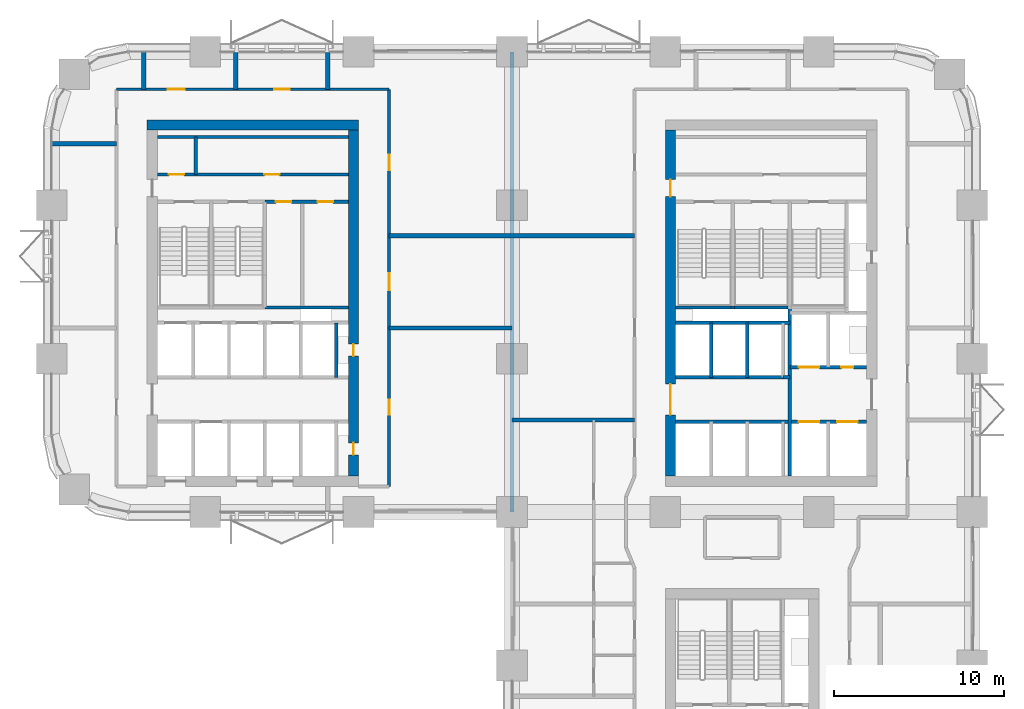
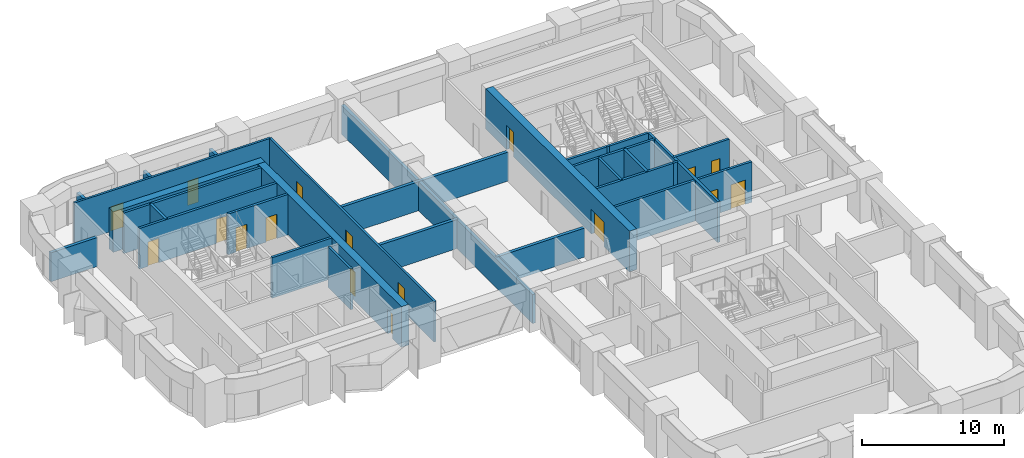
# One storey, part 14 of 18: 30 walls, 17 doors, 17 openings.
"""IFC4 building model written with IfcOpenShell, lengths in metres."""

from ifc_helpers import new_model, si_unit, direction, frame, frame_2d, origin, place, context, subcontext, project, spatial, rectangle, extrude, material, layer, layer_set, type_object, element, fill, save


model = new_model("IFC4")

# Units and contexts
model_context = context("Model", 3, precision=1e-05, world=origin(), true_north=direction((0.0, 1.0)))
body_context = subcontext(model_context, "Body", "Model", "MODEL_VIEW")
ifc_project = project(units=[si_unit("LENGTHUNIT", "METRE"), si_unit("AREAUNIT", "SQUARE_METRE"), si_unit("VOLUMEUNIT", "CUBIC_METRE"), si_unit("PLANEANGLEUNIT", "RADIAN"), si_unit("MASSUNIT", "GRAM", prefix="KILO")], contexts=[model_context])

# Site, building, storey
site_placement = place(None, origin())
site = spatial("IfcSite", under=ifc_project, at=site_placement, CompositionType="ELEMENT")
building_placement = place(site_placement, origin())
building = spatial("IfcBuilding", under=site, at=building_placement, Name="Tessera Arch", CompositionType="ELEMENT")
storey_placement = place(building_placement, frame((0.0, 0.0, 89.199951171875)))
storey = spatial("IfcBuildingStorey", under=building, at=storey_placement, Name="L20", CompositionType="ELEMENT", Elevation=89.199951171875)

# Walls
ifc_material_1 = material(Name="Gypsum board on steel stud", Category="steel")
ifc_layer_1 = layer(ifc_material_1, 0.125)
ifc_layer_set_1 = layer_set([ifc_layer_1], Name="Core partition 125 EI 60")
wall_type_1 = type_object("IfcWallType", Name="Core partition 125 EI 60", PredefinedType="PARTITIONING", material=ifc_layer_set_1)
wall_1_placement = place(storey_placement, frame((42.89990234375, 34.89990234375, 0.0), z_axis=(0.0, 0.0, 1.0), x_axis=(1.0, 0.0, 0.0)))
element("IfcWall", 1, at=wall_1_placement, inside=storey, type_object=wall_type_1, Name="L20 C1 partition wall 18", PredefinedType="PARTITIONING", context=body_context, shape_type="SweptSolid", body=[
    extrude(rectangle(XDim=0.400146484375, YDim=0.199951171875, at=frame_2d((0.2001953125, 0.0))), origin(), (0.0, 0.0, 1.0), 3.5),
])
wall_2_placement = place(storey_placement, frame((8.43994140625, 46.800048828125, 0.0), z_axis=(0.0, 0.0, 1.0), x_axis=(0.0, 1.0, 0.0)))
element("IfcWall", 2, at=wall_2_placement, inside=storey, type_object=wall_type_1, Name="L20 C2 partition wall 3", PredefinedType="PARTITIONING", context=body_context, shape_type="SweptSolid", body=[
    extrude(rectangle(XDim=2.199951171875, YDim=0.199951171875, at=frame_2d((1.10009765625, 0.0))), origin(), (0.0, 0.0, 1.0), 3.5),
])

# Wall, openings, doors
wall_3_placement = place(storey_placement, frame((12.5, 45.199951171875, 0.0), z_axis=(0.0, 0.0, 1.0), x_axis=(1.0, 0.0, 0.0)))
wall_3 = element("IfcWall", 3, at=wall_3_placement, inside=storey, type_object=wall_type_1, Name="L20 C2 partition wall 24", PredefinedType="PARTITIONING", context=body_context, shape_type="SweptSolid", body=[
    extrude(rectangle(XDim=4.89990234375, YDim=0.199951171875, at=frame_2d((2.449951171875, 0.0))), origin(), (0.0, 0.0, 1.0), 3.5),
])
opening_1_placement = place(wall_3_placement, frame((0.652587890625, 0.0, 0.0)))
opening_1 = element("IfcOpeningElement", 4, at=opening_1_placement, cuts=wall_3, Name="Opening L20-C29", PredefinedType="OPENING", context=body_context, shape_type="SweptSolid", body=[
    extrude(rectangle(XDim=0.89990234375, YDim=2.10009765625, at=frame_2d((0.449951171875, 1.050048828125))), frame((0.0, 0.10986328125, 0.0), z_axis=(0.0, -1.0, 0.0), x_axis=(1.0, 0.0, 0.0)), (0.0, 0.0, 1.0), 0.219970703125),
])
opening_2_placement = place(wall_3_placement, frame((3.1025390625, 0.0, 0.0)))
opening_2 = element("IfcOpeningElement", 5, at=opening_2_placement, cuts=wall_3, Name="Opening L20-C30", PredefinedType="OPENING", context=body_context, shape_type="SweptSolid", body=[
    extrude(rectangle(XDim=0.89990234375, YDim=2.10009765625, at=frame_2d((0.449951171875, 1.050048828125))), frame((0.0, 0.10986328125, 0.0), z_axis=(0.0, -1.0, 0.0), x_axis=(1.0, 0.0, 0.0)), (0.0, 0.0, 1.0), 0.219970703125),
])
ifc_material_2 = material(Name="Steel door leaf", Category="steel")
door_type_1 = type_object("IfcDoorType", Name="Store door FD30S 900 x 2100", OperationType="SINGLE_SWING_LEFT", PredefinedType="DOOR", material=ifc_material_2)
door_1_placement = place(opening_1_placement, origin())
door_1 = element("IfcDoor", 6, at=door_1_placement, inside=storey, type_object=door_type_1, Name="L20 C2 door 17 C29 type D09", OperationType="SINGLE_SWING_LEFT", OverallHeight=2.10009765625, OverallWidth=0.89990234375, PredefinedType="DOOR", context=body_context, shape_type="SweptSolid", body=[
    extrude(rectangle(XDim=0.89990234375, YDim=2.10009765625, at=frame_2d((0.449951171875, 1.050048828125))), frame((0.0, 0.02490234375, 0.0), z_axis=(0.0, -1.0, 0.0), x_axis=(1.0, 0.0, 0.0)), (0.0, 0.0, 1.0), 0.050048828125),
])
fill(opening_1, door_1)
door_2_placement = place(opening_2_placement, origin())
door_2 = element("IfcDoor", 7, at=door_2_placement, inside=storey, type_object=door_type_1, Name="L20 C2 door 18 C30 type D09", OperationType="SINGLE_SWING_RIGHT", OverallHeight=2.10009765625, OverallWidth=0.89990234375, PredefinedType="DOOR", context=body_context, shape_type="SweptSolid", body=[
    extrude(rectangle(XDim=0.89990234375, YDim=2.10009765625, at=frame_2d((0.449951171875, 1.050048828125))), frame((0.0, 0.02490234375, 0.0), z_axis=(0.0, -1.0, 0.0), x_axis=(1.0, 0.0, 0.0)), (0.0, 0.0, 1.0), 0.050048828125),
])
fill(opening_2, door_2)

wall_4_placement = place(storey_placement, frame((6.199951171875, 46.800048828125, 0.0), z_axis=(0.0, 0.0, 1.0), x_axis=(1.0, 0.0, 0.0)))
wall_4 = element("IfcWall", 8, at=wall_4_placement, inside=storey, type_object=wall_type_1, Name="L20 C2 partition wall 26", PredefinedType="PARTITIONING", context=body_context, shape_type="SweptSolid", body=[
    extrude(rectangle(XDim=11.199951171875, YDim=0.199951171875, at=frame_2d((5.60009765625, 0.0))), origin(), (0.0, 0.0, 1.0), 3.5),
])
opening_3_placement = place(wall_4_placement, frame((0.669921875, 0.0, 0.0)))
opening_3 = element("IfcOpeningElement", 9, at=opening_3_placement, cuts=wall_4, Name="Opening L20-C27", PredefinedType="OPENING", context=body_context, shape_type="SweptSolid", body=[
    extrude(rectangle(XDim=0.89990234375, YDim=2.10009765625, at=frame_2d((0.449951171875, 1.050048828125))), frame((0.0, 0.10986328125, 0.0), z_axis=(0.0, -1.0, 0.0), x_axis=(1.0, 0.0, 0.0)), (0.0, 0.0, 1.0), 0.219970703125),
])
opening_4_placement = place(wall_4_placement, frame((6.27001953125, 0.0, 0.0)))
opening_4 = element("IfcOpeningElement", 10, at=opening_4_placement, cuts=wall_4, Name="Opening L20-C28", PredefinedType="OPENING", context=body_context, shape_type="SweptSolid", body=[
    extrude(rectangle(XDim=0.89990234375, YDim=2.10009765625, at=frame_2d((0.449951171875, 1.050048828125))), frame((0.0, 0.10986328125, 0.0), z_axis=(0.0, -1.0, 0.0), x_axis=(1.0, 0.0, 0.0)), (0.0, 0.0, 1.0), 0.219970703125),
])
door_3_placement = place(opening_3_placement, origin())
door_3 = element("IfcDoor", 11, at=door_3_placement, inside=storey, type_object=door_type_1, Name="L20 C2 door 15 C27 type D09", OperationType="SINGLE_SWING_LEFT", OverallHeight=2.10009765625, OverallWidth=0.89990234375, PredefinedType="DOOR", context=body_context, shape_type="SweptSolid", body=[
    extrude(rectangle(XDim=0.89990234375, YDim=2.10009765625, at=frame_2d((0.449951171875, 1.050048828125))), frame((0.0, 0.02490234375, 0.0), z_axis=(0.0, -1.0, 0.0), x_axis=(1.0, 0.0, 0.0)), (0.0, 0.0, 1.0), 0.050048828125),
])
fill(opening_3, door_3)
door_4_placement = place(opening_4_placement, origin())
door_4 = element("IfcDoor", 12, at=door_4_placement, inside=storey, type_object=door_type_1, Name="L20 C2 door 16 C28 type D09", OperationType="SINGLE_SWING_RIGHT", OverallHeight=2.10009765625, OverallWidth=0.89990234375, PredefinedType="DOOR", context=body_context, shape_type="SweptSolid", body=[
    extrude(rectangle(XDim=0.89990234375, YDim=2.10009765625, at=frame_2d((0.449951171875, 1.050048828125))), frame((0.0, 0.02490234375, 0.0), z_axis=(0.0, -1.0, 0.0), x_axis=(1.0, 0.0, 0.0)), (0.0, 0.0, 1.0), 0.050048828125),
])
fill(opening_4, door_4)

# Wall
wall_5_placement = place(storey_placement, frame((6.199951171875, 49.0, 0.0), z_axis=(0.0, 0.0, 1.0), x_axis=(1.0, 0.0, 0.0)))
element("IfcWall", 13, at=wall_5_placement, inside=storey, type_object=wall_type_1, Name="L20 C2 partition wall 27", PredefinedType="PARTITIONING", context=body_context, shape_type="SweptSolid", body=[
    extrude(rectangle(XDim=11.199951171875, YDim=0.199951171875, at=frame_2d((5.60009765625, 0.0))), origin(), (0.0, 0.0, 1.0), 3.5),
])

# Wall, openings, doors
ifc_material_3 = material(Name="Concrete C70/85", Category="concrete")
ifc_layer_2 = layer(ifc_material_3, 0.60009765625)
ifc_layer_set_2 = layer_set([ifc_layer_2], Name="Core shell wall 600 C70-85")
wall_type_2 = type_object("IfcWallType", Name="Core shell wall 600 C70-85", PredefinedType="SHEAR", material=ifc_layer_set_2)
wall_6_placement = place(storey_placement, frame((36.300048828125, 29.10009765625, 0.0), z_axis=(0.0, 0.0, 1.0), x_axis=(0.0, 1.0, 0.0)))
wall_6 = element("IfcWall", 14, at=wall_6_placement, inside=storey, type_object=wall_type_2, Name="L20 C1 core wall W", PredefinedType="SHEAR", context=body_context, shape_type="SweptSolid", body=[
    extrude(rectangle(XDim=20.2998046875, YDim=0.60009765625, at=frame_2d((10.14990234375, 0.0))), origin(), (0.0, 0.0, 1.0), 3.5),
])
opening_5_placement = place(wall_6_placement, frame((3.60009765625, 0.0, 0.0)))
opening_5 = element("IfcOpeningElement", 15, at=opening_5_placement, cuts=wall_6, Name="Opening L20-C04", PredefinedType="OPENING", context=body_context, shape_type="SweptSolid", body=[
    extrude(rectangle(XDim=1.800048828125, YDim=2.10009765625, at=frame_2d((0.89990234375, 1.050048828125))), frame((0.0, 0.31005859375, 0.0), z_axis=(0.0, -1.0, 0.0), x_axis=(1.0, 0.0, 0.0)), (0.0, 0.0, 1.0), 0.6201171875),
])
opening_6_placement = place(wall_6_placement, frame((16.39990234375, 0.0, 0.0)))
opening_6 = element("IfcOpeningElement", 16, at=opening_6_placement, cuts=wall_6, Name="Opening L20-C11", PredefinedType="OPENING", context=body_context, shape_type="SweptSolid", body=[
    extrude(rectangle(XDim=1.0, YDim=2.10009765625, at=frame_2d((0.5, 1.050048828125))), frame((0.0, 0.31005859375, 0.0), z_axis=(0.0, -1.0, 0.0), x_axis=(1.0, 0.0, 0.0)), (0.0, 0.0, 1.0), 0.6201171875),
])
ifc_material_4 = material(Name="Steel door leaf", Category="steel")
door_type_2 = type_object("IfcDoorType", Name="Corridor door FD60 1000 x 2100", OperationType="SINGLE_SWING_LEFT", PredefinedType="DOOR", material=ifc_material_4)
door_5_placement = place(opening_6_placement, origin())
door_5 = element("IfcDoor", 17, at=door_5_placement, inside=storey, type_object=door_type_2, Name="L20 C1 door 11 C11 type D12", OperationType="SINGLE_SWING_RIGHT", OverallHeight=2.10009765625, OverallWidth=1.0, PredefinedType="DOOR", context=body_context, shape_type="SweptSolid", body=[
    extrude(rectangle(XDim=1.0, YDim=2.10009765625, at=frame_2d((0.5, 1.050048828125))), frame((0.0, 0.02490234375, 0.0), z_axis=(0.0, -1.0, 0.0), x_axis=(1.0, 0.0, 0.0)), (0.0, 0.0, 1.0), 0.050048828125),
])
fill(opening_6, door_5)
ifc_material_5 = material(Name="Glazed steel door leaf", Category="steel")
door_type_3 = type_object("IfcDoorType", Name="Lobby double door FD30S 1800 x 2100", OperationType="DOUBLE_DOOR_SINGLE_SWING", PredefinedType="DOOR", material=ifc_material_5)
door_6_placement = place(opening_5_placement, origin())
door_6 = element("IfcDoor", 18, at=door_6_placement, inside=storey, type_object=door_type_3, Name="L20 C1 door 4 C04 type D06", OperationType="DOUBLE_DOOR_SINGLE_SWING", OverallHeight=2.10009765625, OverallWidth=1.800048828125, PredefinedType="DOOR", context=body_context, shape_type="SweptSolid", body=[
    extrude(rectangle(XDim=1.800048828125, YDim=2.10009765625, at=frame_2d((0.89990234375, 1.050048828125))), frame((0.0, 0.02490234375, 0.0), z_axis=(0.0, -1.0, 0.0), x_axis=(1.0, 0.0, 0.0)), (0.0, 0.0, 1.0), 0.050048828125),
])
fill(opening_5, door_6)

# Wall
wall_7_placement = place(storey_placement, frame((5.60009765625, 49.699951171875, 0.0), z_axis=(0.0, 0.0, 1.0), x_axis=(1.0, 0.0, 0.0)))
element("IfcWall", 19, at=wall_7_placement, inside=storey, type_object=wall_type_2, Name="L20 C2 core wall N", PredefinedType="SHEAR", context=body_context, shape_type="SweptSolid", body=[
    extrude(rectangle(XDim=12.39990234375, YDim=0.60009765625, at=frame_2d((6.199951171875, 0.0))), origin(), (0.0, 0.0, 1.0), 3.5),
])

# Wall, openings, doors
wall_8_placement = place(storey_placement, frame((17.699951171875, 29.10009765625, 0.0), z_axis=(0.0, 0.0, 1.0), x_axis=(0.0, 1.0, 0.0)))
wall_8 = element("IfcWall", 20, at=wall_8_placement, inside=storey, type_object=wall_type_2, Name="L20 C2 core wall E", PredefinedType="SHEAR", context=body_context, shape_type="SweptSolid", body=[
    extrude(rectangle(XDim=20.2998046875, YDim=0.60009765625, at=frame_2d((10.14990234375, 0.0))), origin(), (0.0, 0.0, 1.0), 3.5),
])
opening_7_placement = place(wall_8_placement, frame((1.25, 0.0, 0.0)))
opening_7 = element("IfcOpeningElement", 21, at=opening_7_placement, cuts=wall_8, Name="Opening L20-C21", PredefinedType="OPENING", context=body_context, shape_type="SweptSolid", body=[
    extrude(rectangle(XDim=0.699951171875, YDim=2.10009765625, at=frame_2d((0.35009765625, 1.050048828125))), frame((0.0, 0.31005859375, 0.0), z_axis=(0.0, -1.0, 0.0), x_axis=(1.0, 0.0, 0.0)), (0.0, 0.0, 1.0), 0.6201171875),
])
opening_8_placement = place(wall_8_placement, frame((7.050048828125, 0.0, 0.0)))
opening_8 = element("IfcOpeningElement", 22, at=opening_8_placement, cuts=wall_8, Name="Opening L20-C22", PredefinedType="OPENING", context=body_context, shape_type="SweptSolid", body=[
    extrude(rectangle(XDim=0.699951171875, YDim=2.10009765625, at=frame_2d((0.35009765625, 1.050048828125))), frame((0.0, 0.31005859375, 0.0), z_axis=(0.0, -1.0, 0.0), x_axis=(1.0, 0.0, 0.0)), (0.0, 0.0, 1.0), 0.6201171875),
])
ifc_material_6 = material(Name="Steel door leaf", Category="steel")
door_type_4 = type_object("IfcDoorType", Name="Service shaft door FD60 700 x 2100", OperationType="SINGLE_SWING_LEFT", PredefinedType="DOOR", material=ifc_material_6)
door_7_placement = place(opening_7_placement, origin())
door_7 = element("IfcDoor", 23, at=door_7_placement, inside=storey, type_object=door_type_4, Name="L20 C2 door 9 C21 type D07", OperationType="SINGLE_SWING_LEFT", OverallHeight=2.10009765625, OverallWidth=0.699951171875, PredefinedType="DOOR", context=body_context, shape_type="SweptSolid", body=[
    extrude(rectangle(XDim=0.699951171875, YDim=2.10009765625, at=frame_2d((0.35009765625, 1.050048828125))), frame((0.0, 0.02490234375, 0.0), z_axis=(0.0, -1.0, 0.0), x_axis=(1.0, 0.0, 0.0)), (0.0, 0.0, 1.0), 0.050048828125),
])
fill(opening_7, door_7)
door_8_placement = place(opening_8_placement, origin())
door_8 = element("IfcDoor", 24, at=door_8_placement, inside=storey, type_object=door_type_4, Name="L20 C2 door 10 C22 type D07", OperationType="SINGLE_SWING_LEFT", OverallHeight=2.10009765625, OverallWidth=0.699951171875, PredefinedType="DOOR", context=body_context, shape_type="SweptSolid", body=[
    extrude(rectangle(XDim=0.699951171875, YDim=2.10009765625, at=frame_2d((0.35009765625, 1.050048828125))), frame((0.0, 0.02490234375, 0.0), z_axis=(0.0, -1.0, 0.0), x_axis=(1.0, 0.0, 0.0)), (0.0, 0.0, 1.0), 0.050048828125),
])
fill(opening_8, door_8)

ifc_material_7 = material(Name="Gypsum board on deep steel stud with mineral wool", Category="steel")
ifc_layer_3 = layer(ifc_material_7, 0.175048828125)
ifc_layer_set_3 = layer_set([ifc_layer_3], Name="Corridor wall 175 EI 60")
wall_type_3 = type_object("IfcWallType", Name="Corridor wall 175 EI 60", PredefinedType="PARTITIONING", material=ifc_layer_set_3)
wall_9_placement = place(storey_placement, frame((3.800048828125, 51.800048828125, 0.0), z_axis=(0.0, 0.0, 1.0), x_axis=(1.0, 0.0, 0.0)))
wall_9 = element("IfcWall", 25, at=wall_9_placement, inside=storey, type_object=wall_type_3, Name="L20 partition 7", PredefinedType="PARTITIONING", context=body_context, shape_type="SweptSolid", body=[
    extrude(rectangle(XDim=16.0, YDim=0.175048828125, at=frame_2d((8.0, 0.0))), origin(), (0.0, 0.0, 1.0), 3.5),
])
opening_9_placement = place(wall_9_placement, frame((3.0, 0.0, 0.0)))
opening_9 = element("IfcOpeningElement", 26, at=opening_9_placement, cuts=wall_9, Name="Opening L20-D024", PredefinedType="OPENING", context=body_context, shape_type="SweptSolid", body=[
    extrude(rectangle(XDim=1.0, YDim=2.10009765625, at=frame_2d((0.5, 1.050048828125))), frame((0.0, 0.097412109375, 0.0), z_axis=(0.0, -1.0, 0.0), x_axis=(1.0, 0.0, 0.0)), (0.0, 0.0, 1.0), 0.195068359375),
])
opening_10_placement = place(wall_9_placement, frame((9.25, 0.0, 0.0)))
opening_10 = element("IfcOpeningElement", 27, at=opening_10_placement, cuts=wall_9, Name="Opening L20-D025", PredefinedType="OPENING", context=body_context, shape_type="SweptSolid", body=[
    extrude(rectangle(XDim=0.89990234375, YDim=2.10009765625, at=frame_2d((0.449951171875, 1.050048828125))), frame((0.0, 0.097412109375, 0.0), z_axis=(0.0, -1.0, 0.0), x_axis=(1.0, 0.0, 0.0)), (0.0, 0.0, 1.0), 0.195068359375),
])
ifc_material_8 = material(Name="Fire-rated door leaf")
door_type_5 = type_object("IfcDoorType", Name="Entrance door FD30S 1000 x 2100", OperationType="SINGLE_SWING_LEFT", PredefinedType="DOOR", material=ifc_material_8)
door_9_placement = place(opening_9_placement, origin())
door_9 = element("IfcDoor", 28, at=door_9_placement, inside=storey, type_object=door_type_5, Name="L20 door D024 type D03", OperationType="SINGLE_SWING_RIGHT", OverallHeight=2.10009765625, OverallWidth=1.0, PredefinedType="DOOR", context=body_context, shape_type="SweptSolid", body=[
    extrude(rectangle(XDim=1.0, YDim=2.10009765625, at=frame_2d((0.5, 1.050048828125))), frame((0.0, 0.02490234375, 0.0), z_axis=(0.0, -1.0, 0.0), x_axis=(1.0, 0.0, 0.0)), (0.0, 0.0, 1.0), 0.050048828125),
])
fill(opening_9, door_9)
ifc_material_9 = material(Name="Timber door leaf", Category="wood")
door_type_6 = type_object("IfcDoorType", Name="Room door 900 x 2100", OperationType="SINGLE_SWING_LEFT", PredefinedType="DOOR", material=ifc_material_9)
door_10_placement = place(opening_10_placement, origin())
door_10 = element("IfcDoor", 29, at=door_10_placement, inside=storey, type_object=door_type_6, Name="L20 door D025 type D01", OperationType="SINGLE_SWING_LEFT", OverallHeight=2.10009765625, OverallWidth=0.89990234375, PredefinedType="DOOR", context=body_context, shape_type="SweptSolid", body=[
    extrude(rectangle(XDim=0.89990234375, YDim=2.10009765625, at=frame_2d((0.449951171875, 1.050048828125))), frame((0.0, 0.02490234375, 0.0), z_axis=(0.0, -1.0, 0.0), x_axis=(1.0, 0.0, 0.0)), (0.0, 0.0, 1.0), 0.050048828125),
])
fill(opening_10, door_10)

wall_10_placement = place(storey_placement, frame((19.800048828125, 28.5, 0.0), z_axis=(0.0, 0.0, 1.0), x_axis=(0.0, 1.0, 0.0)))
wall_10 = element("IfcWall", 30, at=wall_10_placement, inside=storey, type_object=wall_type_3, Name="L20 partition 10", PredefinedType="PARTITIONING", context=body_context, shape_type="SweptSolid", body=[
    extrude(rectangle(XDim=23.300048828125, YDim=0.175048828125, at=frame_2d((11.64990234375, 0.0))), origin(), (0.0, 0.0, 1.0), 3.5),
])
opening_11_placement = place(wall_10_placement, frame((4.199951171875, 0.0, 0.0)))
opening_11 = element("IfcOpeningElement", 31, at=opening_11_placement, cuts=wall_10, Name="Opening L20-D014", PredefinedType="OPENING", context=body_context, shape_type="SweptSolid", body=[
    extrude(rectangle(XDim=0.89990234375, YDim=2.10009765625, at=frame_2d((0.449951171875, 1.050048828125))), frame((0.0, 0.097412109375, 0.0), z_axis=(0.0, -1.0, 0.0), x_axis=(1.0, 0.0, 0.0)), (0.0, 0.0, 1.0), 0.195068359375),
])
opening_12_placement = place(wall_10_placement, frame((11.5, 0.0, 0.0)))
opening_12 = element("IfcOpeningElement", 32, at=opening_12_placement, cuts=wall_10, Name="Opening L20-D017", PredefinedType="OPENING", context=body_context, shape_type="SweptSolid", body=[
    extrude(rectangle(XDim=1.0, YDim=2.10009765625, at=frame_2d((0.5, 1.050048828125))), frame((0.0, 0.097412109375, 0.0), z_axis=(0.0, -1.0, 0.0), x_axis=(1.0, 0.0, 0.0)), (0.0, 0.0, 1.0), 0.195068359375),
])
opening_13_placement = place(wall_10_placement, frame((18.550048828125, 0.0, 0.0)))
opening_13 = element("IfcOpeningElement", 33, at=opening_13_placement, cuts=wall_10, Name="Opening L20-D020", PredefinedType="OPENING", context=body_context, shape_type="SweptSolid", body=[
    extrude(rectangle(XDim=0.89990234375, YDim=2.10009765625, at=frame_2d((0.449951171875, 1.050048828125))), frame((0.0, 0.097412109375, 0.0), z_axis=(0.0, -1.0, 0.0), x_axis=(1.0, 0.0, 0.0)), (0.0, 0.0, 1.0), 0.195068359375),
])
door_11_placement = place(opening_12_placement, origin())
door_11 = element("IfcDoor", 34, at=door_11_placement, inside=storey, type_object=door_type_5, Name="L20 door D017 type D03", OperationType="SINGLE_SWING_RIGHT", OverallHeight=2.10009765625, OverallWidth=1.0, PredefinedType="DOOR", context=body_context, shape_type="SweptSolid", body=[
    extrude(rectangle(XDim=1.0, YDim=2.10009765625, at=frame_2d((0.5, 1.050048828125))), frame((0.0, 0.02490234375, 0.0), z_axis=(0.0, -1.0, 0.0), x_axis=(1.0, 0.0, 0.0)), (0.0, 0.0, 1.0), 0.050048828125),
])
fill(opening_12, door_11)
door_12_placement = place(opening_11_placement, origin())
door_12 = element("IfcDoor", 35, at=door_12_placement, inside=storey, type_object=door_type_6, Name="L20 door D014 type D01", OperationType="SINGLE_SWING_LEFT", OverallHeight=2.10009765625, OverallWidth=0.89990234375, PredefinedType="DOOR", context=body_context, shape_type="SweptSolid", body=[
    extrude(rectangle(XDim=0.89990234375, YDim=2.10009765625, at=frame_2d((0.449951171875, 1.050048828125))), frame((0.0, 0.02490234375, 0.0), z_axis=(0.0, -1.0, 0.0), x_axis=(1.0, 0.0, 0.0)), (0.0, 0.0, 1.0), 0.050048828125),
])
fill(opening_11, door_12)
door_13_placement = place(opening_13_placement, origin())
door_13 = element("IfcDoor", 36, at=door_13_placement, inside=storey, type_object=door_type_6, Name="L20 door D020 type D01", OperationType="SINGLE_SWING_LEFT", OverallHeight=2.10009765625, OverallWidth=0.89990234375, PredefinedType="DOOR", context=body_context, shape_type="SweptSolid", body=[
    extrude(rectangle(XDim=0.89990234375, YDim=2.10009765625, at=frame_2d((0.449951171875, 1.050048828125))), frame((0.0, 0.02490234375, 0.0), z_axis=(0.0, -1.0, 0.0), x_axis=(1.0, 0.0, 0.0)), (0.0, 0.0, 1.0), 0.050048828125),
])
fill(opening_13, door_13)

# Walls
ifc_material_10 = material(Name="Double gypsum board on twin steel stud with acoustic mineral wool", Category="steel")
ifc_layer_4 = layer(ifc_material_10, 0.25)
ifc_layer_set_4 = layer_set([ifc_layer_4], Name="Party wall 250 EI 60")
wall_type_4 = type_object("IfcWallType", Name="Party wall 250 EI 60", PredefinedType="PARTITIONING", material=ifc_layer_set_4)
for number, where, z_axis, x_axis, name in (
    (37, (27.0, 32.39990234375, 0.0), (0.0, 0.0, 1.0), (1.0, 0.0, 0.0), "L20 partition 26"),
    (38, (19.800048828125, 37.800048828125, 0.0), (0.0, 0.0, 1.0), (1.0, 0.0, 0.0), "L20 partition 29"),
):
    element("IfcWall", number, at=place(storey_placement, frame(where, z_axis=z_axis, x_axis=x_axis)), inside=storey, type_object=wall_type_4, Name=name, PredefinedType="PARTITIONING", context=body_context, shape_type="SweptSolid", body=[
        extrude(rectangle(XDim=7.199951171875, YDim=0.25, at=frame_2d((3.60009765625, 0.0))), origin(), (0.0, 0.0, 1.0), 2.5),
    ])
wall_11_placement = place(storey_placement, frame((19.800048828125, 43.199951171875, 0.0), z_axis=(0.0, 0.0, 1.0), x_axis=(1.0, 0.0, 0.0)))
element("IfcWall", 39, at=wall_11_placement, inside=storey, type_object=wall_type_4, Name="L20 partition 31", PredefinedType="PARTITIONING", context=body_context, shape_type="SweptSolid", body=[
    extrude(rectangle(XDim=14.39990234375, YDim=0.25, at=frame_2d((7.199951171875, 0.0))), origin(), (0.0, 0.0, 1.0), 2.5),
])
wall_12_placement = place(storey_placement, frame((0.0, 48.60009765625, 0.0), z_axis=(0.0, 0.0, 1.0), x_axis=(1.0, 0.0, 0.0)))
element("IfcWall", 40, at=wall_12_placement, inside=storey, type_object=wall_type_4, Name="L20 partition 32", PredefinedType="PARTITIONING", context=body_context, shape_type="SweptSolid", body=[
    extrude(rectangle(XDim=3.800048828125, YDim=0.25, at=frame_2d((1.89990234375, 0.0))), origin(), (0.0, 0.0, 1.0), 2.5),
])
for number, where, z_axis, x_axis, name in (
    (41, (5.39990234375, 51.800048828125, 0.0), (0.0, 0.0, 1.0), (0.0, 1.0, 0.0), "L20 partition 34"),
    (42, (10.800048828125, 51.800048828125, 0.0), (0.0, 0.0, 1.0), (0.0, 1.0, 0.0), "L20 partition 35"),
    (43, (16.199951171875, 51.800048828125, 0.0), (0.0, 0.0, 1.0), (0.0, 1.0, 0.0), "L20 partition 37"),
):
    element("IfcWall", number, at=place(storey_placement, frame(where, z_axis=z_axis, x_axis=x_axis)), inside=storey, type_object=wall_type_4, Name=name, PredefinedType="PARTITIONING", context=body_context, shape_type="SweptSolid", body=[
        extrude(rectangle(XDim=2.199951171875, YDim=0.25, at=frame_2d((1.10009765625, 0.0))), origin(), (0.0, 0.0, 1.0), 2.5),
    ])
wall_13_placement = place(storey_placement, frame((27.0, 27.0, 0.0), z_axis=(0.0, 0.0, 1.0), x_axis=(0.0, 1.0, 0.0)))
element("IfcWall", 44, at=wall_13_placement, inside=storey, type_object=wall_type_4, Name="L20 partition 38", PredefinedType="PARTITIONING", context=body_context, shape_type="SweptSolid", body=[
    extrude(rectangle(XDim=27.0, YDim=0.25, at=frame_2d((13.5, 0.0))), origin(), (0.0, 0.0, 1.0), 2.5),
])
ifc_material_11 = material(Name="Concrete C40/50", Category="concrete")
ifc_layer_5 = layer(ifc_material_11, 0.199951171875)
ifc_layer_set_5 = layer_set([ifc_layer_5], Name="Shaft wall 200 EI 120")
wall_type_5 = type_object("IfcWallType", Name="Shaft wall 200 EI 120", PredefinedType="SOLIDWALL", material=ifc_layer_set_5)
for number, where, z_axis, x_axis, name in (
    (45, (38.699951171875, 34.89990234375, 0.0), (0.0, 0.0, 1.0), (0.0, 1.0, 0.0), "L20 C1 shaft wall 2"),
    (46, (40.800048828125, 34.89990234375, 0.0), (0.0, 0.0, 1.0), (0.0, 1.0, 0.0), "L20 C1 shaft wall 6"),
):
    element("IfcWall", number, at=place(storey_placement, frame(where, z_axis=z_axis, x_axis=x_axis)), inside=storey, type_object=wall_type_5, Name=name, PredefinedType="SOLIDWALL", context=body_context, shape_type="SweptSolid", body=[
        extrude(rectangle(XDim=3.2001953125, YDim=0.199951171875, at=frame_2d((1.60009765625, 0.0))), origin(), (0.0, 0.0, 1.0), 3.5),
    ])
wall_14_placement = place(storey_placement, frame((43.300048828125, 29.10009765625, 0.0), z_axis=(0.0, 0.0, 1.0), x_axis=(0.0, 1.0, 0.0)))
element("IfcWall", 47, at=wall_14_placement, inside=storey, type_object=wall_type_5, Name="L20 C1 shaft wall 9", PredefinedType="SOLIDWALL", context=body_context, shape_type="SweptSolid", body=[
    extrude(rectangle(XDim=9.89990234375, YDim=0.199951171875, at=frame_2d((4.949951171875, 0.0))), origin(), (0.0, 0.0, 1.0), 3.5),
])

# Wall, openings, doors
wall_15_placement = place(storey_placement, frame((36.60009765625, 32.300048828125, 0.0), z_axis=(0.0, 0.0, 1.0), x_axis=(1.0, 0.0, 0.0)))
wall_15 = element("IfcWall", 48, at=wall_15_placement, inside=storey, type_object=wall_type_5, Name="L20 C1 shaft wall 17", PredefinedType="SOLIDWALL", context=body_context, shape_type="SweptSolid", body=[
    extrude(rectangle(XDim=11.199951171875, YDim=0.199951171875, at=frame_2d((5.60009765625, 0.0))), origin(), (0.0, 0.0, 1.0), 3.5),
])
opening_14_placement = place(wall_15_placement, frame((7.22509765625, 0.0, 0.0)))
opening_14 = element("IfcOpeningElement", 49, at=opening_14_placement, cuts=wall_15, Name="Opening L20-C01", PredefinedType="OPENING", context=body_context, shape_type="SweptSolid", body=[
    extrude(rectangle(XDim=1.199951171875, YDim=2.10009765625, at=frame_2d((0.60009765625, 1.050048828125))), frame((0.0, 0.10986328125, 0.0), z_axis=(0.0, -1.0, 0.0), x_axis=(1.0, 0.0, 0.0)), (0.0, 0.0, 1.0), 0.219970703125),
])
opening_15_placement = place(wall_15_placement, frame((9.47509765625, 0.0, 0.0)))
opening_15 = element("IfcOpeningElement", 50, at=opening_15_placement, cuts=wall_15, Name="Opening L20-C02", PredefinedType="OPENING", context=body_context, shape_type="SweptSolid", body=[
    extrude(rectangle(XDim=1.199951171875, YDim=2.10009765625, at=frame_2d((0.60009765625, 1.050048828125))), frame((0.0, 0.10986328125, 0.0), z_axis=(0.0, -1.0, 0.0), x_axis=(1.0, 0.0, 0.0)), (0.0, 0.0, 1.0), 0.219970703125),
])
ifc_material_12 = material(Name="Stainless steel AISI 304", Category="steel")
door_type_7 = type_object("IfcDoorType", Name="Sliding landing door 1200 x 2100", OperationType="SLIDING_TO_LEFT", PredefinedType="DOOR", material=ifc_material_12)
door_14_placement = place(opening_14_placement, origin())
door_14 = element("IfcDoor", 51, at=door_14_placement, inside=storey, type_object=door_type_7, Name="L20 FF1 lift landing door C01 type LD", OperationType="SLIDING_TO_LEFT", OverallHeight=2.10009765625, OverallWidth=1.199951171875, PredefinedType="DOOR", context=body_context, shape_type="SweptSolid", body=[
    extrude(rectangle(XDim=1.199951171875, YDim=2.10009765625, at=frame_2d((0.60009765625, 1.050048828125))), frame((0.0, 0.02490234375, 0.0), z_axis=(0.0, -1.0, 0.0), x_axis=(1.0, 0.0, 0.0)), (0.0, 0.0, 1.0), 0.050048828125),
])
fill(opening_14, door_14)
door_15_placement = place(opening_15_placement, origin())
door_15 = element("IfcDoor", 52, at=door_15_placement, inside=storey, type_object=door_type_7, Name="L20 FF2 lift landing door C02 type LD", OperationType="SLIDING_TO_LEFT", OverallHeight=2.10009765625, OverallWidth=1.199951171875, PredefinedType="DOOR", context=body_context, shape_type="SweptSolid", body=[
    extrude(rectangle(XDim=1.199951171875, YDim=2.10009765625, at=frame_2d((0.60009765625, 1.050048828125))), frame((0.0, 0.02490234375, 0.0), z_axis=(0.0, -1.0, 0.0), x_axis=(1.0, 0.0, 0.0)), (0.0, 0.0, 1.0), 0.050048828125),
])
fill(opening_15, door_15)

# Wall
wall_16_placement = place(storey_placement, frame((36.60009765625, 34.89990234375, 0.0), z_axis=(0.0, 0.0, 1.0), x_axis=(1.0, 0.0, 0.0)))
element("IfcWall", 53, at=wall_16_placement, inside=storey, type_object=wall_type_5, Name="L20 C1 shaft wall 19", PredefinedType="SOLIDWALL", context=body_context, shape_type="SweptSolid", body=[
    extrude(rectangle(XDim=6.2998046875, YDim=0.199951171875, at=frame_2d((3.14990234375, 0.0))), origin(), (0.0, 0.0, 1.0), 3.5),
])

# Wall, openings, doors
wall_17_placement = place(storey_placement, frame((43.300048828125, 35.5, 0.0), z_axis=(0.0, 0.0, 1.0), x_axis=(1.0, 0.0, 0.0)))
wall_17 = element("IfcWall", 54, at=wall_17_placement, inside=storey, type_object=wall_type_5, Name="L20 C1 shaft wall 20", PredefinedType="SOLIDWALL", context=body_context, shape_type="SweptSolid", body=[
    extrude(rectangle(XDim=4.5, YDim=0.199951171875, at=frame_2d((2.25, 0.0))), origin(), (0.0, 0.0, 1.0), 3.5),
])
opening_16_placement = place(wall_17_placement, frame((0.52490234375, 0.0, 0.0)))
opening_16 = element("IfcOpeningElement", 55, at=opening_16_placement, cuts=wall_17, Name="Opening L20-C03", PredefinedType="OPENING", context=body_context, shape_type="SweptSolid", body=[
    extrude(rectangle(XDim=1.199951171875, YDim=2.10009765625, at=frame_2d((0.60009765625, 1.050048828125))), frame((0.0, 0.10986328125, 0.0), z_axis=(0.0, -1.0, 0.0), x_axis=(1.0, 0.0, 0.0)), (0.0, 0.0, 1.0), 0.219970703125),
])
opening_17_placement = place(wall_17_placement, frame((3.02490234375, 0.0, 0.0)))
opening_17 = element("IfcOpeningElement", 56, at=opening_17_placement, cuts=wall_17, Name="Opening L20-C10", PredefinedType="OPENING", context=body_context, shape_type="SweptSolid", body=[
    extrude(rectangle(XDim=0.699951171875, YDim=2.10009765625, at=frame_2d((0.35009765625, 1.050048828125))), frame((0.0, 0.10986328125, 0.0), z_axis=(0.0, -1.0, 0.0), x_axis=(1.0, 0.0, 0.0)), (0.0, 0.0, 1.0), 0.219970703125),
])
door_16_placement = place(opening_17_placement, origin())
door_16 = element("IfcDoor", 57, at=door_16_placement, inside=storey, type_object=door_type_4, Name="L20 C1 door 10 C10 type D07", OperationType="SINGLE_SWING_RIGHT", OverallHeight=2.10009765625, OverallWidth=0.699951171875, PredefinedType="DOOR", context=body_context, shape_type="SweptSolid", body=[
    extrude(rectangle(XDim=0.699951171875, YDim=2.10009765625, at=frame_2d((0.35009765625, 1.050048828125))), frame((0.0, 0.02490234375, 0.0), z_axis=(0.0, -1.0, 0.0), x_axis=(1.0, 0.0, 0.0)), (0.0, 0.0, 1.0), 0.050048828125),
])
fill(opening_17, door_16)
door_17_placement = place(opening_16_placement, origin())
door_17 = element("IfcDoor", 58, at=door_17_placement, inside=storey, type_object=door_type_7, Name="L20 SV2 lift landing door C03 type LD", OperationType="SLIDING_TO_LEFT", OverallHeight=2.10009765625, OverallWidth=1.199951171875, PredefinedType="DOOR", context=body_context, shape_type="SweptSolid", body=[
    extrude(rectangle(XDim=1.199951171875, YDim=2.10009765625, at=frame_2d((0.60009765625, 1.050048828125))), frame((0.0, 0.02490234375, 0.0), z_axis=(0.0, -1.0, 0.0), x_axis=(1.0, 0.0, 0.0)), (0.0, 0.0, 1.0), 0.050048828125),
])
fill(opening_16, door_17)

# Walls
wall_18_placement = place(storey_placement, frame((36.60009765625, 38.10009765625, 0.0), z_axis=(0.0, 0.0, 1.0), x_axis=(1.0, 0.0, 0.0)))
element("IfcWall", 59, at=wall_18_placement, inside=storey, type_object=wall_type_5, Name="L20 C1 shaft wall 21", PredefinedType="SOLIDWALL", context=body_context, shape_type="SweptSolid", body=[
    extrude(rectangle(XDim=6.699951171875, YDim=0.199951171875, at=frame_2d((3.35009765625, 0.0))), origin(), (0.0, 0.0, 1.0), 3.5),
])
wall_19_placement = place(storey_placement, frame((16.699951171875, 34.89990234375, 0.0), z_axis=(0.0, 0.0, 1.0), x_axis=(0.0, 1.0, 0.0)))
element("IfcWall", 60, at=wall_19_placement, inside=storey, type_object=wall_type_5, Name="L20 C2 shaft wall 16", PredefinedType="SOLIDWALL", context=body_context, shape_type="SweptSolid", body=[
    extrude(rectangle(XDim=3.2001953125, YDim=0.199951171875, at=frame_2d((1.60009765625, 0.0))), origin(), (0.0, 0.0, 1.0), 3.5),
])
wall_20_placement = place(storey_placement, frame((12.5, 39.0, 0.0), z_axis=(0.0, 0.0, 1.0), x_axis=(1.0, 0.0, 0.0)))
element("IfcWall", 61, at=wall_20_placement, inside=storey, type_object=wall_type_5, Name="L20 C2 shaft wall 20", PredefinedType="SOLIDWALL", context=body_context, shape_type="SweptSolid", body=[
    extrude(rectangle(XDim=4.89990234375, YDim=0.199951171875, at=frame_2d((2.449951171875, 0.0))), origin(), (0.0, 0.0, 1.0), 3.5),
])
ifc_material_13 = material(Name="Concrete C40/50", Category="concrete")
ifc_layer_6 = layer(ifc_material_13, 0.199951171875)
ifc_layer_set_6 = layer_set([ifc_layer_6], Name="Stair well wall 200 REI 180")
wall_type_6 = type_object("IfcWallType", Name="Stair well wall 200 REI 180", PredefinedType="SOLIDWALL", material=ifc_layer_set_6)
wall_21_placement = place(storey_placement, frame((36.60009765625, 39.0, 0.0), z_axis=(0.0, 0.0, 1.0), x_axis=(1.0, 0.0, 0.0)))
element("IfcWall", 62, at=wall_21_placement, inside=storey, type_object=wall_type_6, Name="L20 C1 shaft wall 23", PredefinedType="SOLIDWALL", context=body_context, shape_type="SweptSolid", body=[
    extrude(rectangle(XDim=3.25, YDim=0.199951171875, at=frame_2d((1.625, 0.0))), origin(), (0.0, 0.0, 1.0), 3.5),
])
wall_22_placement = place(storey_placement, frame((39.85009765625, 39.0, 0.0), z_axis=(0.0, 0.0, 1.0), x_axis=(1.0, 0.0, 0.0)))
element("IfcWall", 63, at=wall_22_placement, inside=storey, type_object=wall_type_6, Name="L20 C1 shaft wall 24", PredefinedType="SOLIDWALL", context=body_context, shape_type="SweptSolid", body=[
    extrude(rectangle(XDim=0.199951171875, YDim=0.199951171875, at=frame_2d((0.10009765625, 0.0))), origin(), (0.0, 0.0, 1.0), 3.5),
])
wall_23_placement = place(storey_placement, frame((40.050048828125, 39.0, 0.0), z_axis=(0.0, 0.0, 1.0), x_axis=(1.0, 0.0, 0.0)))
element("IfcWall", 64, at=wall_23_placement, inside=storey, type_object=wall_type_6, Name="L20 C1 shaft wall 25", PredefinedType="SOLIDWALL", context=body_context, shape_type="SweptSolid", body=[
    extrude(rectangle(XDim=3.14990234375, YDim=0.199951171875, at=frame_2d((1.574951171875, 0.0))), origin(), (0.0, 0.0, 1.0), 3.5),
])

save(model, "model.ifc")
